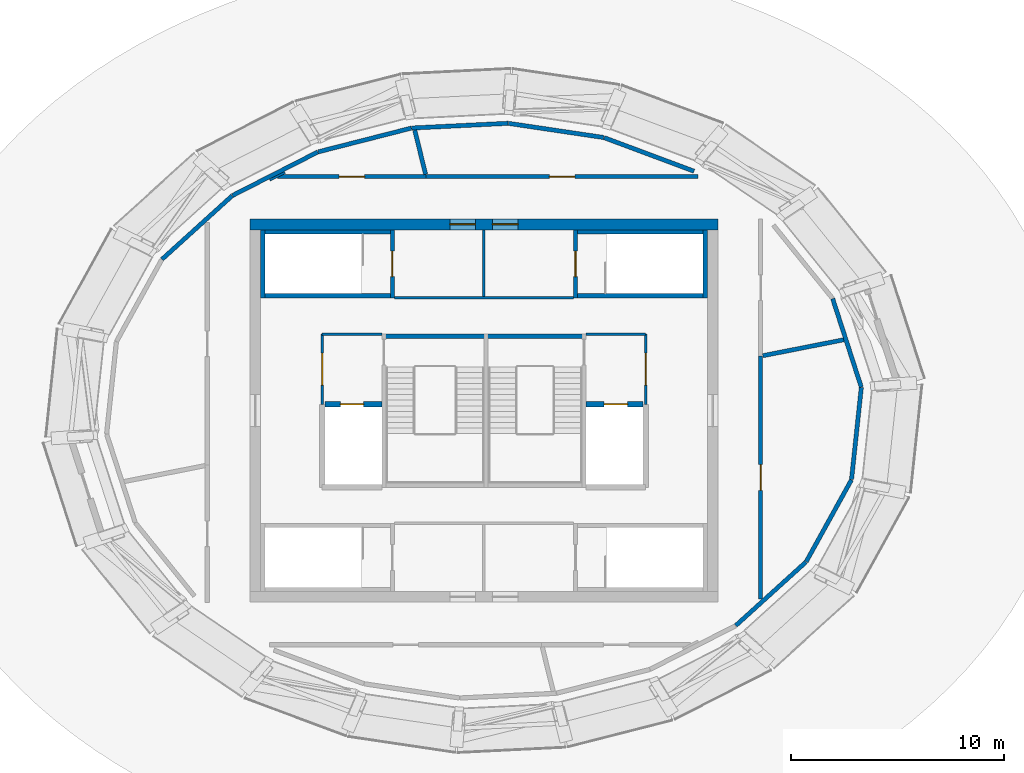
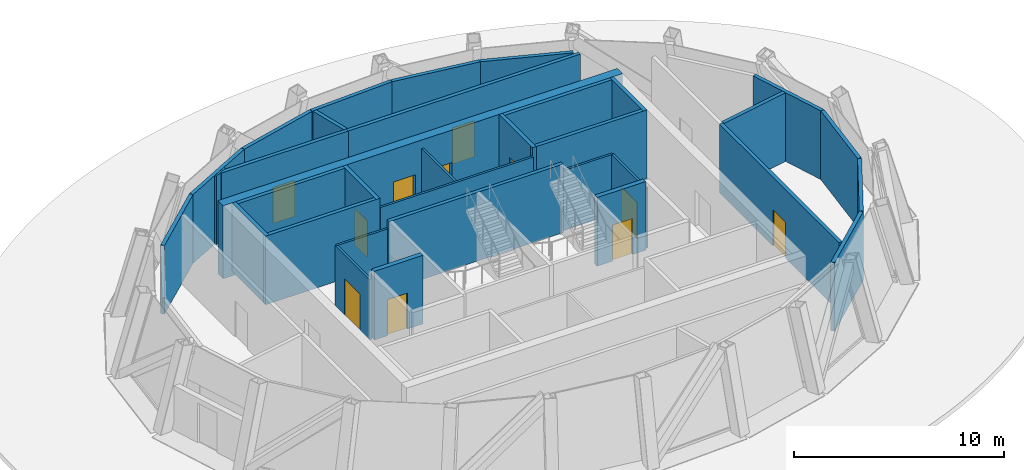
# One storey, part 6 of 9: 34 walls, 11 doors, 11 openings.
"""IFC4 building model written with IfcOpenShell, lengths in metres."""

from ifc_helpers import new_model, si_unit, direction, frame, frame_2d, origin, place, context, subcontext, project, spatial, rectangle, extrude, source, transform, mapped, material, layer, layer_set, type_object, element, fill, save


model = new_model("IFC4")

# Units and contexts
model_context = context("Model", 3, precision=1e-05, world=origin(), true_north=direction((0.0, 1.0)))
body_context = subcontext(model_context, "Body", "Model", "MODEL_VIEW")
ifc_project = project(units=[si_unit("LENGTHUNIT", "METRE"), si_unit("AREAUNIT", "SQUARE_METRE"), si_unit("VOLUMEUNIT", "CUBIC_METRE"), si_unit("PLANEANGLEUNIT", "RADIAN"), si_unit("MASSUNIT", "GRAM", prefix="KILO")], contexts=[model_context])

# Site, building, storey
site_placement = place(None, origin())
site = spatial("IfcSite", under=ifc_project, at=site_placement, CompositionType="ELEMENT")
building_placement = place(site_placement, origin())
building = spatial("IfcBuilding", under=site, at=building_placement, Name="Embergate Tower", CompositionType="ELEMENT")
storey_placement = place(building_placement, frame((0.0, 0.0, 352.0)))
storey = spatial("IfcBuildingStorey", under=building, at=storey_placement, Name="L80", CompositionType="ELEMENT", Elevation=352.0)

# Wall, openings, doors
ifc_material_1 = material(Name="Concrete C50", Category="concrete")
ifc_layer_1 = layer(ifc_material_1, 0.5)
ifc_layer_set_1 = layer_set([ifc_layer_1], Name="Concrete C50")
wall_type_1 = type_object("IfcWallType", Name="Core outer wall C50 500", PredefinedType="SHEAR", material=ifc_layer_set_1)
shared_shape_1 = source(origin(), body_context, "Body", "SweptSolid", [
    extrude(rectangle(XDim=22.0, YDim=0.5, at=frame_2d((11.0, 0.0))), origin(), (0.0, 0.0, 1.0), 4.25),
])
wall_1_placement = place(storey_placement, frame((-11.0, 8.75, -0.25), z_axis=(0.0, 0.0, 1.0), x_axis=(1.0, 0.0, 0.0)))
wall_1 = element("IfcWall", 1, at=wall_1_placement, inside=storey, type_object=wall_type_1, Name="CW-L80-N", PredefinedType="SHEAR", context=body_context, shape_type="MappedRepresentation", body=[
    mapped(shared_shape_1, transform((0.0, 0.0, 0.0))),
])
shared_shape_2 = source(origin(), body_context, "Body", "SweptSolid", [
    extrude(rectangle(XDim=1.199951171875, YDim=2.10009765625, at=frame_2d((0.60009765625, 1.050048828125))), frame((0.0, 0.260009765625, 0.0), z_axis=(0.0, -1.0, 0.0), x_axis=(1.0, 0.0, 0.0)), (0.0, 0.0, 1.0), 0.52001953125),
])
opening_1_placement = place(wall_1_placement, frame((9.39990234375, 0.0, 0.25)))
opening_1 = element("IfcOpeningElement", 2, at=opening_1_placement, cuts=wall_1, Name="Opening IF-1", PredefinedType="OPENING", context=body_context, shape_type="MappedRepresentation", body=[
    mapped(shared_shape_2, transform((0.0, 0.0, 0.0))),
])
opening_2_placement = place(wall_1_placement, frame((11.39990234375, 0.0, 0.25)))
opening_2 = element("IfcOpeningElement", 3, at=opening_2_placement, cuts=wall_1, Name="Opening IF-1", PredefinedType="OPENING", context=body_context, shape_type="MappedRepresentation", body=[
    mapped(shared_shape_2, transform((0.0, 0.0, 0.0))),
])
ifc_material_2 = material(Name="Escape fire door 1200")
door_type_1 = type_object("IfcDoorType", Name="Escape fire door 1200", OperationType="SINGLE_SWING_LEFT", PredefinedType="DOOR", material=ifc_material_2)
shared_shape_3 = source(origin(), body_context, "Body", "SweptSolid", [
    extrude(rectangle(XDim=1.199951171875, YDim=2.10009765625, at=frame_2d((0.60009765625, 1.050048828125))), frame((0.0, 0.02490234375, 0.0), z_axis=(0.0, -1.0, 0.0), x_axis=(1.0, 0.0, 0.0)), (0.0, 0.0, 1.0), 0.050048828125),
])
door_1_placement = place(opening_1_placement, origin())
door_1 = element("IfcDoor", 4, at=door_1_placement, inside=storey, type_object=door_type_1, Name="IF-1 door", OperationType="SINGLE_SWING_LEFT", OverallHeight=2.10009765625, OverallWidth=1.199951171875, PredefinedType="DOOR", context=body_context, shape_type="MappedRepresentation", body=[
    mapped(shared_shape_3, transform((0.0, 0.0, 0.0))),
])
fill(opening_1, door_1)
door_2_placement = place(opening_2_placement, origin())
door_2 = element("IfcDoor", 5, at=door_2_placement, inside=storey, type_object=door_type_1, Name="IF-1 door", OperationType="SINGLE_SWING_RIGHT", OverallHeight=2.10009765625, OverallWidth=1.199951171875, PredefinedType="DOOR", context=body_context, shape_type="MappedRepresentation", body=[
    mapped(shared_shape_3, transform((0.0, 0.0, 0.0))),
])
fill(opening_2, door_2)

# Walls
ifc_material_3 = material(Name="Terracotta louvre cladding on insulated backing", Category="masonry")
ifc_layer_2 = layer(ifc_material_3, 0.199951171875)
ifc_layer_set_2 = layer_set([ifc_layer_2], Name="Terracotta louvre cladding on insulated backing")
wall_type_2 = type_object("IfcWallType", Name="Terracotta louvre wall", PredefinedType="SOLIDWALL", material=ifc_layer_set_2)
shared_shape_4 = source(origin(), body_context, "Body", "SweptSolid", [
    extrude(rectangle(XDim=4.509765625, YDim=0.199951171875, at=frame_2d((2.2548828125, 0.0))), origin(), (0.0, 0.0, 1.0), 4.0),
])
wall_2_placement = place(storey_placement, frame((5.64599609375, 12.829833984375, 0.0), z_axis=(0.0, 0.0, 1.0), x_axis=(0.936857596237, -0.349711087004, 0.0)))
element("IfcWall", 6, at=wall_2_placement, inside=storey, type_object=wall_type_2, Name="Crown louvre wall 3", PredefinedType="SOLIDWALL", context=body_context, shape_type="MappedRepresentation", body=[
    mapped(shared_shape_4, transform((0.0, 0.0, 0.0))),
])
shared_shape_5 = source(origin(), body_context, "Body", "SweptSolid", [
    extrude(rectangle(XDim=4.526611328125, YDim=0.199951171875, at=frame_2d((2.26318359375, 0.0))), origin(), (0.0, 0.0, 1.0), 4.0),
])
wall_3_placement = place(storey_placement, frame((1.1494140625, 13.501953125, 0.0), z_axis=(0.0, 0.0, 1.0), x_axis=(0.98908499412, -0.147346104146, 0.0)))
element("IfcWall", 7, at=wall_3_placement, inside=storey, type_object=wall_type_2, Name="Crown louvre wall 4", PredefinedType="SOLIDWALL", context=body_context, shape_type="MappedRepresentation", body=[
    mapped(shared_shape_5, transform((0.0, 0.0, 0.0))),
])
shared_shape_6 = source(origin(), body_context, "Body", "SweptSolid", [
    extrude(rectangle(XDim=4.5302734375, YDim=0.199951171875, at=frame_2d((2.26513671875, 0.0))), origin(), (0.0, 0.0, 1.0), 4.0),
])
wall_4_placement = place(storey_placement, frame((-3.3955078125, 13.280517578125, 0.0), z_axis=(0.0, 0.0, 1.0), x_axis=(0.998794180323, 0.049093638625, 0.0)))
element("IfcWall", 8, at=wall_4_placement, inside=storey, type_object=wall_type_2, Name="Crown louvre wall 5", PredefinedType="SOLIDWALL", context=body_context, shape_type="MappedRepresentation", body=[
    mapped(shared_shape_6, transform((0.0, 0.0, 0.0))),
])
shared_shape_7 = source(origin(), body_context, "Body", "SweptSolid", [
    extrude(rectangle(XDim=4.520263671875, YDim=0.199951171875, at=frame_2d((2.26025390625, 0.0))), origin(), (0.0, 0.0, 1.0), 4.0),
])
wall_5_placement = place(storey_placement, frame((-7.794921875, 12.16015625, 0.0), z_axis=(0.0, 0.0, 1.0), x_axis=(0.968962042594, 0.247209546764, 0.0)))
element("IfcWall", 9, at=wall_5_placement, inside=storey, type_object=wall_type_2, Name="Crown louvre wall 6", PredefinedType="SOLIDWALL", context=body_context, shape_type="MappedRepresentation", body=[
    mapped(shared_shape_7, transform((0.0, 0.0, 0.0))),
])
shared_shape_8 = source(origin(), body_context, "Body", "SweptSolid", [
    extrude(rectangle(XDim=4.49365234375, YDim=0.199951171875, at=frame_2d((2.246826171875, 0.0))), origin(), (0.0, 0.0, 1.0), 4.0),
])
wall_6_placement = place(storey_placement, frame((-11.816162109375, 10.110107421875, 0.0), z_axis=(0.0, 0.0, 1.0), x_axis=(0.890680163356, 0.45463045059, 0.0)))
element("IfcWall", 10, at=wall_6_placement, inside=storey, type_object=wall_type_2, Name="Crown louvre wall 7", PredefinedType="SOLIDWALL", context=body_context, shape_type="MappedRepresentation", body=[
    mapped(shared_shape_8, transform((0.0, 0.0, 0.0))),
])
shared_shape_9 = source(origin(), body_context, "Body", "SweptSolid", [
    extrude(rectangle(XDim=4.448974609375, YDim=0.199951171875, at=frame_2d((2.224609375, 0.0))), origin(), (0.0, 0.0, 1.0), 4.0),
])
for number, where, z_axis, x_axis, name in (
    (11, (-15.1298828125, 7.1123046875, 0.0), (0.0, 0.0, 1.0), (0.741145642432, 0.671344275841, 0.0), "Crown louvre wall 8"),
    (12, (15.1298828125, -7.1123046875, 0.0), (0.0, 0.0, 1.0), (-0.741145642432, -0.671344275841, 0.0), "Crown louvre wall 19"),
):
    element("IfcWall", number, at=place(storey_placement, frame(where, z_axis=z_axis, x_axis=x_axis)), inside=storey, type_object=wall_type_2, Name=name, PredefinedType="SOLIDWALL", context=body_context, shape_type="MappedRepresentation", body=[
        mapped(shared_shape_9, transform((0.0, 0.0, 0.0))),
    ])
shared_shape_10 = source(origin(), body_context, "Body", "SweptSolid", [
    extrude(rectangle(XDim=4.388916015625, YDim=0.199951171875, at=frame_2d((2.1943359375, 0.0))), origin(), (0.0, 0.0, 1.0), 4.0),
])
wall_7_placement = place(storey_placement, frame((17.26611328125, -3.255859375, 0.0), z_axis=(0.0, 0.0, 1.0), x_axis=(-0.48394176174, -0.875100206402, 0.0)))
element("IfcWall", 13, at=wall_7_placement, inside=storey, type_object=wall_type_2, Name="Crown louvre wall 20", PredefinedType="SOLIDWALL", context=body_context, shape_type="MappedRepresentation", body=[
    mapped(shared_shape_10, transform((0.0, 0.0, 0.0))),
])
shared_shape_11 = source(origin(), body_context, "Body", "SweptSolid", [
    extrude(rectangle(XDim=4.34912109375, YDim=0.199951171875, at=frame_2d((2.174560546875, 0.0))), origin(), (0.0, 0.0, 1.0), 4.0),
])
wall_8_placement = place(storey_placement, frame((17.732177734375, 1.087646484375, 0.0), z_axis=(0.0, 0.0, 1.0), x_axis=(-0.10576007222, -0.994391676918, 0.0)))
element("IfcWall", 14, at=wall_8_placement, inside=storey, type_object=wall_type_2, Name="Crown louvre wall 21", PredefinedType="SOLIDWALL", context=body_context, shape_type="MappedRepresentation", body=[
    mapped(shared_shape_11, transform((0.0, 0.0, 0.0))),
])
shared_shape_12 = source(origin(), body_context, "Body", "SweptSolid", [
    extrude(rectangle(XDim=4.3642578125, YDim=0.199951171875, at=frame_2d((2.18212890625, 0.0))), origin(), (0.0, 0.0, 1.0), 4.0),
])
wall_9_placement = place(storey_placement, frame((16.3876953125, 5.259521484375, 0.0), z_axis=(0.0, 0.0, 1.0), x_axis=(0.307571534743, -0.951524960795, 0.0)))
element("IfcWall", 15, at=wall_9_placement, inside=storey, type_object=wall_type_2, Name="Crown louvre wall 22", PredefinedType="SOLIDWALL", context=body_context, shape_type="MappedRepresentation", body=[
    mapped(shared_shape_12, transform((0.0, 0.0, 0.0))),
])
ifc_material_4 = material(Name="Core partition blockwork 120")
ifc_layer_3 = layer(ifc_material_4, 0.1201171875)
ifc_layer_set_3 = layer_set([ifc_layer_3], Name="Core partition blockwork 120")
wall_type_3 = type_object("IfcWallType", Name="Core partition blockwork 120", PredefinedType="PARTITIONING", material=ifc_layer_set_3)
shared_shape_13 = source(origin(), body_context, "Body", "SweptSolid", [
    extrude(rectangle(XDim=8.39990234375, YDim=0.1201171875, at=frame_2d((4.199951171875, 0.0))), origin(), (0.0, 0.0, 1.0), 3.5),
])
wall_10_placement = place(storey_placement, frame((-4.199951171875, 5.300048828125, 0.0), z_axis=(0.0, 0.0, 1.0), x_axis=(1.0, 0.0, 0.0)))
element("IfcWall", 16, at=wall_10_placement, inside=storey, type_object=wall_type_3, Name="IP-3 wall", PredefinedType="PARTITIONING", context=body_context, shape_type="MappedRepresentation", body=[
    mapped(shared_shape_13, transform((0.0, 0.0, 0.0))),
])
ifc_layer_4 = layer(ifc_material_1, 0.199951171875)
ifc_layer_set_4 = layer_set([ifc_layer_4], Name="Concrete C50")
wall_type_4 = type_object("IfcWallType", Name="Stair enclosure wall reinforced concrete 250", PredefinedType="SHEAR", material=ifc_layer_set_4)
shared_shape_14 = source(origin(), body_context, "Body", "SweptSolid", [
    extrude(rectangle(XDim=9.60009765625, YDim=0.199951171875, at=frame_2d((4.800048828125, 0.0))), origin(), (0.0, 0.0, 1.0), 4.0),
])
wall_11_placement = place(storey_placement, frame((4.800048828125, 3.5, 0.0), z_axis=(0.0, 0.0, 1.0), x_axis=(-1.0, 0.0, 0.0)))
element("IfcWall", 17, at=wall_11_placement, inside=storey, type_object=wall_type_4, Name="SE-1 wall", PredefinedType="SHEAR", context=body_context, shape_type="MappedRepresentation", body=[
    mapped(shared_shape_14, transform((0.0, 0.0, 0.0))),
])

# Wall, opening, door
ifc_layer_5 = layer(ifc_material_1, 0.25)
ifc_layer_set_5 = layer_set([ifc_layer_5], Name="Concrete C50")
wall_type_5 = type_object("IfcWallType", Name="Hoistway wall reinforced concrete 250", PredefinedType="SHEAR", material=ifc_layer_set_5)
shared_shape_15 = source(origin(), body_context, "Body", "SweptSolid", [
    extrude(rectangle(XDim=2.675048828125, YDim=0.25, at=frame_2d((1.33740234375, 0.0))), origin(), (0.0, 0.0, 1.0), 4.0),
])
wall_12_placement = place(storey_placement, frame((7.47509765625, 0.300048828125, 0.0), z_axis=(0.0, 0.0, 1.0), x_axis=(-1.0, 0.0, 0.0)))
wall_12 = element("IfcWall", 18, at=wall_12_placement, inside=storey, type_object=wall_type_5, Name="HW-1 wall", PredefinedType="SHEAR", context=body_context, shape_type="MappedRepresentation", body=[
    mapped(shared_shape_15, transform((0.0, 0.0, 0.0))),
])
shared_shape_16 = source(origin(), body_context, "Body", "SweptSolid", [
    extrude(rectangle(XDim=1.10009765625, YDim=2.10009765625, at=frame_2d((0.550048828125, 1.050048828125))), frame((0.0, 0.135009765625, 0.0), z_axis=(0.0, -1.0, 0.0), x_axis=(1.0, 0.0, 0.0)), (0.0, 0.0, 1.0), 0.27001953125),
])
opening_3_placement = place(wall_12_placement, frame((0.72509765625, 0.0, 0.0)))
opening_3 = element("IfcOpeningElement", 19, at=opening_3_placement, cuts=wall_12, Name="Opening LD", PredefinedType="OPENING", context=body_context, shape_type="MappedRepresentation", body=[
    mapped(shared_shape_16, transform((0.0, 0.0, 0.0))),
])
ifc_material_5 = material(Name="Landing door sliding 1100")
door_type_2 = type_object("IfcDoorType", Name="Landing door sliding 1100", OperationType="SLIDING_TO_LEFT", PredefinedType="DOOR", material=ifc_material_5)
shared_shape_17 = source(origin(), body_context, "Body", "SweptSolid", [
    extrude(rectangle(XDim=1.10009765625, YDim=2.10009765625, at=frame_2d((0.550048828125, 1.050048828125))), frame((0.0, 0.02490234375, 0.0), z_axis=(0.0, -1.0, 0.0), x_axis=(1.0, 0.0, 0.0)), (0.0, 0.0, 1.0), 0.050048828125),
])
door_3_placement = place(opening_3_placement, origin())
door_3 = element("IfcDoor", 20, at=door_3_placement, inside=storey, type_object=door_type_2, Name="LD door", OperationType="SLIDING_TO_LEFT", OverallHeight=2.10009765625, OverallWidth=1.10009765625, PredefinedType="DOOR", context=body_context, shape_type="MappedRepresentation", body=[
    mapped(shared_shape_17, transform((0.0, 0.0, 0.0))),
])
fill(opening_3, door_3)

wall_13_placement = place(storey_placement, frame((-4.800048828125, 0.300048828125, 0.0), z_axis=(0.0, 0.0, 1.0), x_axis=(-1.0, 0.0, 0.0)))
wall_13 = element("IfcWall", 21, at=wall_13_placement, inside=storey, type_object=wall_type_5, Name="HW-1 wall", PredefinedType="SHEAR", context=body_context, shape_type="MappedRepresentation", body=[
    mapped(shared_shape_15, transform((0.0, 0.0, 0.0))),
])
opening_4_placement = place(wall_13_placement, frame((0.85009765625, 0.0, 0.0)))
opening_4 = element("IfcOpeningElement", 22, at=opening_4_placement, cuts=wall_13, Name="Opening LD", PredefinedType="OPENING", context=body_context, shape_type="MappedRepresentation", body=[
    mapped(shared_shape_16, transform((0.0, 0.0, 0.0))),
])
door_4_placement = place(opening_4_placement, origin())
door_4 = element("IfcDoor", 23, at=door_4_placement, inside=storey, type_object=door_type_2, Name="LD door", OperationType="SLIDING_TO_RIGHT", OverallHeight=2.10009765625, OverallWidth=1.10009765625, PredefinedType="DOOR", context=body_context, shape_type="MappedRepresentation", body=[
    mapped(shared_shape_17, transform((0.0, 0.0, 0.0))),
])
fill(opening_4, door_4)

shared_shape_18 = source(origin(), body_context, "Body", "SweptSolid", [
    extrude(rectangle(XDim=3.300048828125, YDim=0.1201171875, at=frame_2d((1.64990234375, 0.0))), origin(), (0.0, 0.0, 1.0), 3.5),
])
wall_14_placement = place(storey_placement, frame((7.60009765625, 0.300048828125, 0.0), z_axis=(0.0, 0.0, 1.0), x_axis=(0.0, 1.0, 0.0)))
wall_14 = element("IfcWall", 24, at=wall_14_placement, inside=storey, type_object=wall_type_3, Name="IP-3 wall", PredefinedType="PARTITIONING", context=body_context, shape_type="MappedRepresentation", body=[
    mapped(shared_shape_18, transform((0.0, 0.0, 0.0))),
])
shared_shape_19 = source(origin(), body_context, "Body", "SweptSolid", [
    extrude(rectangle(XDim=1.5, YDim=2.10009765625, at=frame_2d((0.75, 1.050048828125))), frame((0.0, 0.070068359375, 0.0), z_axis=(0.0, -1.0, 0.0), x_axis=(1.0, 0.0, 0.0)), (0.0, 0.0, 1.0), 0.14013671875),
])
opening_5_placement = place(wall_14_placement, frame((0.89990234375, 0.0, 0.0)))
opening_5 = element("IfcOpeningElement", 25, at=opening_5_placement, cuts=wall_14, Name="Opening IF-3", PredefinedType="OPENING", context=body_context, shape_type="MappedRepresentation", body=[
    mapped(shared_shape_19, transform((0.0, 0.0, 0.0))),
])
ifc_material_6 = material(Name="Lobby fire door pair 1500")
door_type_3 = type_object("IfcDoorType", Name="Lobby fire door pair 1500", OperationType="DOUBLE_DOOR_SINGLE_SWING", PredefinedType="DOOR", material=ifc_material_6)
shared_shape_20 = source(origin(), body_context, "Body", "SweptSolid", [
    extrude(rectangle(XDim=1.5, YDim=2.10009765625, at=frame_2d((0.75, 1.050048828125))), frame((0.0, 0.02490234375, 0.0), z_axis=(0.0, -1.0, 0.0), x_axis=(1.0, 0.0, 0.0)), (0.0, 0.0, 1.0), 0.050048828125),
])
door_5_placement = place(opening_5_placement, origin())
door_5 = element("IfcDoor", 26, at=door_5_placement, inside=storey, type_object=door_type_3, Name="IF-3 door", OperationType="DOUBLE_DOOR_SINGLE_SWING", OverallHeight=2.10009765625, OverallWidth=1.5, PredefinedType="DOOR", context=body_context, shape_type="MappedRepresentation", body=[
    mapped(shared_shape_20, transform((0.0, 0.0, 0.0))),
])
fill(opening_5, door_5)

wall_15_placement = place(storey_placement, frame((-7.60009765625, 3.60009765625, 0.0), z_axis=(0.0, 0.0, 1.0), x_axis=(0.0, -1.0, 0.0)))
wall_15 = element("IfcWall", 27, at=wall_15_placement, inside=storey, type_object=wall_type_3, Name="IP-3 wall", PredefinedType="PARTITIONING", context=body_context, shape_type="MappedRepresentation", body=[
    mapped(shared_shape_18, transform((0.0, 0.0, 0.0))),
])
opening_6_placement = place(wall_15_placement, frame((0.89990234375, 0.0, 0.0)))
opening_6 = element("IfcOpeningElement", 28, at=opening_6_placement, cuts=wall_15, Name="Opening IF-3", PredefinedType="OPENING", context=body_context, shape_type="MappedRepresentation", body=[
    mapped(shared_shape_19, transform((0.0, 0.0, 0.0))),
])
door_6_placement = place(opening_6_placement, origin())
door_6 = element("IfcDoor", 29, at=door_6_placement, inside=storey, type_object=door_type_3, Name="IF-3 door", OperationType="DOUBLE_DOOR_SINGLE_SWING", OverallHeight=2.10009765625, OverallWidth=1.5, PredefinedType="DOOR", context=body_context, shape_type="MappedRepresentation", body=[
    mapped(shared_shape_20, transform((0.0, 0.0, 0.0))),
])
fill(opening_6, door_6)

# Walls
shared_shape_21 = source(origin(), body_context, "Body", "SweptSolid", [
    extrude(rectangle(XDim=2.800048828125, YDim=0.1201171875, at=frame_2d((1.39990234375, 0.0))), origin(), (0.0, 0.0, 1.0), 3.5),
])
for number, where, z_axis, x_axis, name in (
    (30, (7.60009765625, 3.60009765625, 0.0), (0.0, 0.0, 1.0), (-1.0, 0.0, 0.0), "IP-3 wall"),
    (31, (-4.800048828125, 3.60009765625, 0.0), (0.0, 0.0, 1.0), (-1.0, 0.0, 0.0), "IP-3 wall"),
):
    element("IfcWall", number, at=place(storey_placement, frame(where, z_axis=z_axis, x_axis=x_axis)), inside=storey, type_object=wall_type_3, Name=name, PredefinedType="PARTITIONING", context=body_context, shape_type="MappedRepresentation", body=[
        mapped(shared_shape_21, transform((0.0, 0.0, 0.0))),
    ])

# Wall, opening, door
shared_shape_22 = source(origin(), body_context, "Body", "SweptSolid", [
    extrude(rectangle(XDim=3.199951171875, YDim=0.199951171875, at=frame_2d((1.60009765625, 0.0))), origin(), (0.0, 0.0, 1.0), 4.0),
])
wall_16_placement = place(storey_placement, frame((-4.300048828125, 5.300048828125, 0.0), z_axis=(0.0, 0.0, 1.0), x_axis=(0.0, 1.0, 0.0)))
wall_16 = element("IfcWall", 32, at=wall_16_placement, inside=storey, type_object=wall_type_4, Name="SE-1 wall", PredefinedType="SHEAR", context=body_context, shape_type="MappedRepresentation", body=[
    mapped(shared_shape_22, transform((0.0, 0.0, 0.0))),
])
shared_shape_23 = source(origin(), body_context, "Body", "SweptSolid", [
    extrude(rectangle(XDim=1.199951171875, YDim=2.10009765625, at=frame_2d((0.60009765625, 1.050048828125))), frame((0.0, 0.10986328125, 0.0), z_axis=(0.0, -1.0, 0.0), x_axis=(1.0, 0.0, 0.0)), (0.0, 0.0, 1.0), 0.219970703125),
])
opening_7_placement = place(wall_16_placement, frame((1.0, 0.0, 0.0)))
opening_7 = element("IfcOpeningElement", 33, at=opening_7_placement, cuts=wall_16, Name="Opening IF-2", PredefinedType="OPENING", context=body_context, shape_type="MappedRepresentation", body=[
    mapped(shared_shape_23, transform((0.0, 0.0, 0.0))),
])
ifc_material_7 = material(Name="Stair enclosure door 1200")
door_type_4 = type_object("IfcDoorType", Name="Stair enclosure door 1200", OperationType="SINGLE_SWING_LEFT", PredefinedType="DOOR", material=ifc_material_7)
door_7_placement = place(opening_7_placement, origin())
door_7 = element("IfcDoor", 34, at=door_7_placement, inside=storey, type_object=door_type_4, Name="IF-2 door", OperationType="SINGLE_SWING_RIGHT", OverallHeight=2.10009765625, OverallWidth=1.199951171875, PredefinedType="DOOR", context=body_context, shape_type="MappedRepresentation", body=[
    mapped(shared_shape_3, transform((0.0, 0.0, 0.0))),
])
fill(opening_7, door_7)

wall_17_placement = place(storey_placement, frame((4.300048828125, 8.5, 0.0), z_axis=(0.0, 0.0, 1.0), x_axis=(0.0, -1.0, 0.0)))
wall_17 = element("IfcWall", 35, at=wall_17_placement, inside=storey, type_object=wall_type_4, Name="SE-1 wall", PredefinedType="SHEAR", context=body_context, shape_type="MappedRepresentation", body=[
    mapped(shared_shape_22, transform((0.0, 0.0, 0.0))),
])
opening_8_placement = place(wall_17_placement, frame((1.0, 0.0, 0.0)))
opening_8 = element("IfcOpeningElement", 36, at=opening_8_placement, cuts=wall_17, Name="Opening IF-2", PredefinedType="OPENING", context=body_context, shape_type="MappedRepresentation", body=[
    mapped(shared_shape_23, transform((0.0, 0.0, 0.0))),
])
door_8_placement = place(opening_8_placement, origin())
door_8 = element("IfcDoor", 37, at=door_8_placement, inside=storey, type_object=door_type_4, Name="IF-2 door", OperationType="SINGLE_SWING_LEFT", OverallHeight=2.10009765625, OverallWidth=1.199951171875, PredefinedType="DOOR", context=body_context, shape_type="MappedRepresentation", body=[
    mapped(shared_shape_3, transform((0.0, 0.0, 0.0))),
])
fill(opening_8, door_8)

# Walls
shared_shape_24 = source(origin(), body_context, "Body", "SweptSolid", [
    extrude(rectangle(XDim=6.300048828125, YDim=0.199951171875, at=frame_2d((3.14990234375, 0.0))), origin(), (0.0, 0.0, 1.0), 4.0),
])
for number, where, z_axis, x_axis, name in (
    (38, (-10.5, 5.39990234375, 0.0), (0.0, 0.0, 1.0), (1.0, 0.0, 0.0), "SE-1 wall"),
    (39, (4.199951171875, 5.39990234375, 0.0), (0.0, 0.0, 1.0), (1.0, 0.0, 0.0), "SE-1 wall"),
):
    element("IfcWall", number, at=place(storey_placement, frame(where, z_axis=z_axis, x_axis=x_axis)), inside=storey, type_object=wall_type_4, Name=name, PredefinedType="SHEAR", context=body_context, shape_type="MappedRepresentation", body=[
        mapped(shared_shape_24, transform((0.0, 0.0, 0.0))),
    ])
shared_shape_25 = source(origin(), body_context, "Body", "SweptSolid", [
    extrude(rectangle(XDim=3.139892578125, YDim=0.1201171875, at=frame_2d((1.56982421875, 0.0))), origin(), (0.0, 0.0, 1.0), 3.5),
])
wall_18_placement = place(storey_placement, frame((0.0, 5.360107421875, 0.0), z_axis=(0.0, 0.0, 1.0), x_axis=(0.0, 1.0, 0.0)))
element("IfcWall", 40, at=wall_18_placement, inside=storey, type_object=wall_type_3, Name="IP-3 wall", PredefinedType="PARTITIONING", context=body_context, shape_type="MappedRepresentation", body=[
    mapped(shared_shape_25, transform((0.0, 0.0, 0.0))),
])
shared_shape_26 = source(origin(), body_context, "Body", "SweptSolid", [
    extrude(rectangle(XDim=6.298095703125, YDim=0.199951171875, at=frame_2d((3.14892578125, 0.0))), origin(), (0.0, 0.0, 1.0), 4.0),
])
for number, where, z_axis, x_axis, name in (
    (41, (-4.201904296875, 8.39990234375, 0.0), (0.0, 0.0, 1.0), (-1.0, 0.0, 0.0), "SE-1 wall"),
    (42, (10.5, 8.39990234375, 0.0), (0.0, 0.0, 1.0), (-1.0, 0.0, 0.0), "SE-1 wall"),
):
    element("IfcWall", number, at=place(storey_placement, frame(where, z_axis=z_axis, x_axis=x_axis)), inside=storey, type_object=wall_type_4, Name=name, PredefinedType="SHEAR", context=body_context, shape_type="MappedRepresentation", body=[
        mapped(shared_shape_26, transform((0.0, 0.0, 0.0))),
    ])
shared_shape_27 = source(origin(), body_context, "Body", "SweptSolid", [
    extrude(rectangle(XDim=3.197998046875, YDim=0.199951171875, at=frame_2d((1.59912109375, 0.0))), origin(), (0.0, 0.0, 1.0), 4.0),
])
for number, where, z_axis, x_axis, name in (
    (43, (-10.39990234375, 8.5, 0.0), (0.0, 0.0, 1.0), (0.0, -1.0, 0.0), "SE-1 wall"),
    (44, (10.39990234375, 5.302001953125, 0.0), (0.0, 0.0, 1.0), (0.0, 1.0, 0.0), "SE-1 wall"),
):
    element("IfcWall", number, at=place(storey_placement, frame(where, z_axis=z_axis, x_axis=x_axis)), inside=storey, type_object=wall_type_4, Name=name, PredefinedType="SHEAR", context=body_context, shape_type="MappedRepresentation", body=[
        mapped(shared_shape_27, transform((0.0, 0.0, 0.0))),
    ])
ifc_material_8 = material(Name="Blockwork, plastered", Category="masonry")
ifc_layer_6 = layer(ifc_material_8, 0.199951171875)
ifc_layer_set_6 = layer_set([ifc_layer_6], Name="Blockwork, plastered")
wall_type_6 = type_object("IfcWallType", Name="Fire partition wall 200 block", PredefinedType="PARTITIONING", material=ifc_layer_set_6)
shared_shape_28 = source(origin(), body_context, "Body", "SweptSolid", [
    extrude(rectangle(XDim=3.87109375, YDim=0.199951171875, at=frame_2d((1.935546875, 0.0))), origin(), (0.0, 0.0, 1.0), 4.0),
])
wall_19_placement = place(storey_placement, frame((16.906005859375, 3.3310546875, 0.0), z_axis=(0.0, 0.0, 1.0), x_axis=(-0.981151353157, -0.193240839884, 0.0)))
element("IfcWall", 45, at=wall_19_placement, inside=storey, type_object=wall_type_6, Name="Partition 012", PredefinedType="PARTITIONING", context=body_context, shape_type="MappedRepresentation", body=[
    mapped(shared_shape_28, transform((0.0, 0.0, 0.0))),
])

# Wall, opening, door
shared_shape_29 = source(origin(), body_context, "Body", "SweptSolid", [
    extrude(rectangle(XDim=11.404052734375, YDim=0.199951171875, at=frame_2d((5.7021484375, 0.0))), origin(), (0.0, 0.0, 1.0), 4.0),
])
wall_20_placement = place(storey_placement, frame((13.0, 2.56201171875, 0.0), z_axis=(0.0, 0.0, 1.0), x_axis=(0.0, -1.0, 0.0)))
wall_20 = element("IfcWall", 46, at=wall_20_placement, inside=storey, type_object=wall_type_6, Name="Partition 010", PredefinedType="PARTITIONING", context=body_context, shape_type="MappedRepresentation", body=[
    mapped(shared_shape_29, transform((0.0, 0.0, 0.0))),
])
opening_9_placement = place(wall_20_placement, frame((5.10205078125, 0.0, 0.0)))
opening_9 = element("IfcOpeningElement", 47, at=opening_9_placement, cuts=wall_20, Name="Opening DS-280", PredefinedType="OPENING", context=body_context, shape_type="MappedRepresentation", body=[
    mapped(shared_shape_23, transform((0.0, 0.0, 0.0))),
])
ifc_material_9 = material(Name="Timber door leaf, steel frame", Category="steel")
door_type_5 = type_object("IfcDoorType", Name="Plant door 1200x2100", OperationType="SINGLE_SWING_LEFT", PredefinedType="DOOR", material=ifc_material_9)
shared_shape_30 = source(origin(), body_context, "Body", "SweptSolid", [
    extrude(rectangle(XDim=1.199951171875, YDim=2.10009765625, at=frame_2d((0.60009765625, 1.050048828125))), frame((0.0, 0.02490234375, 0.0), z_axis=(0.0, -1.0, 0.0), x_axis=(1.0, 0.0, 0.0)), (0.0, 0.0, 1.0), 0.050048828125),
])
door_9_placement = place(opening_9_placement, origin())
door_9 = element("IfcDoor", 48, at=door_9_placement, inside=storey, type_object=door_type_5, Name="Door to Crown water tank room", OperationType="SINGLE_SWING_LEFT", OverallHeight=2.10009765625, OverallWidth=1.199951171875, PredefinedType="DOOR", context=body_context, shape_type="MappedRepresentation", body=[
    mapped(shared_shape_30, transform((0.0, 0.0, 0.0))),
])
fill(opening_9, door_9)

shared_shape_31 = source(origin(), body_context, "Body", "SweptSolid", [
    extrude(rectangle(XDim=6.98486328125, YDim=0.199951171875, at=frame_2d((3.492431640625, 0.0))), origin(), (0.0, 0.0, 1.0), 4.0),
])
wall_21_placement = place(storey_placement, frame((-9.699951171875, 11.0, 0.0), z_axis=(0.0, 0.0, 1.0), x_axis=(1.0, 0.0, 0.0)))
wall_21 = element("IfcWall", 49, at=wall_21_placement, inside=storey, type_object=wall_type_6, Name="Partition 004", PredefinedType="PARTITIONING", context=body_context, shape_type="MappedRepresentation", body=[
    mapped(shared_shape_31, transform((0.0, 0.0, 0.0))),
])
opening_10_placement = place(wall_21_placement, frame((2.89208984375, 0.0, 0.0)))
opening_10 = element("IfcOpeningElement", 50, at=opening_10_placement, cuts=wall_21, Name="Opening DS-275", PredefinedType="OPENING", context=body_context, shape_type="MappedRepresentation", body=[
    mapped(shared_shape_23, transform((0.0, 0.0, 0.0))),
])
door_10_placement = place(opening_10_placement, origin())
door_10 = element("IfcDoor", 51, at=door_10_placement, inside=storey, type_object=door_type_5, Name="Door to Crown air handling plant room", OperationType="SINGLE_SWING_LEFT", OverallHeight=2.10009765625, OverallWidth=1.199951171875, PredefinedType="DOOR", context=body_context, shape_type="MappedRepresentation", body=[
    mapped(shared_shape_30, transform((0.0, 0.0, 0.0))),
])
fill(opening_10, door_10)

# Wall
shared_shape_32 = source(origin(), body_context, "Body", "SweptSolid", [
    extrude(rectangle(XDim=2.142578125, YDim=0.199951171875, at=frame_2d((1.0712890625, 0.0))), origin(), (0.0, 0.0, 1.0), 4.0),
])
wall_22_placement = place(storey_placement, frame((-2.740966796875, 11.10693359375, 0.0), z_axis=(0.0, 0.0, 1.0), x_axis=(-0.239853646519, 0.970809058596, 0.0)))
element("IfcWall", 52, at=wall_22_placement, inside=storey, type_object=wall_type_6, Name="Partition 005", PredefinedType="PARTITIONING", context=body_context, shape_type="MappedRepresentation", body=[
    mapped(shared_shape_32, transform((0.0, 0.0, 0.0))),
])

# Wall, opening, door
shared_shape_33 = source(origin(), body_context, "Body", "SweptSolid", [
    extrude(rectangle(XDim=12.7841796875, YDim=0.199951171875, at=frame_2d((6.39208984375, 0.0))), origin(), (0.0, 0.0, 1.0), 4.0),
])
wall_23_placement = place(storey_placement, frame((-2.715087890625, 11.0, 0.0), z_axis=(0.0, 0.0, 1.0), x_axis=(1.0, 0.0, 0.0)))
wall_23 = element("IfcWall", 53, at=wall_23_placement, inside=storey, type_object=wall_type_6, Name="Partition 006", PredefinedType="PARTITIONING", context=body_context, shape_type="MappedRepresentation", body=[
    mapped(shared_shape_33, transform((0.0, 0.0, 0.0))),
])
opening_11_placement = place(wall_23_placement, frame((5.7919921875, 0.0, 0.0)))
opening_11 = element("IfcOpeningElement", 54, at=opening_11_placement, cuts=wall_23, Name="Opening DS-274", PredefinedType="OPENING", context=body_context, shape_type="MappedRepresentation", body=[
    mapped(shared_shape_23, transform((0.0, 0.0, 0.0))),
])
door_11_placement = place(opening_11_placement, origin())
door_11 = element("IfcDoor", 55, at=door_11_placement, inside=storey, type_object=door_type_5, Name="Door to Crown mechanical plant room", OperationType="SINGLE_SWING_LEFT", OverallHeight=2.10009765625, OverallWidth=1.199951171875, PredefinedType="DOOR", context=body_context, shape_type="MappedRepresentation", body=[
    mapped(shared_shape_30, transform((0.0, 0.0, 0.0))),
])
fill(opening_11, door_11)

# Wall
ifc_material_10 = material(Name="Plasterboard on steel stud", Category="steel")
ifc_layer_7 = layer(ifc_material_10, 0.14990234375)
ifc_layer_set_7 = layer_set([ifc_layer_7], Name="Plasterboard on steel stud")
wall_type_7 = type_object("IfcWallType", Name="Partition wall 150 board", PredefinedType="PARTITIONING", material=ifc_layer_set_7)
shared_shape_34 = source(origin(), body_context, "Body", "SweptSolid", [
    extrude(rectangle(XDim=0.800537109375, YDim=0.10009765625, at=frame_2d((0.400390625, 0.0))), origin(), (0.0, 0.0, 1.0), 4.0),
])
wall_24_placement = place(storey_placement, frame((-10.06298828125, 10.8310546875, 0.0), z_axis=(0.0, 0.0, 1.0), x_axis=(0.890613149989, 0.454761714601, 0.0)))
element("IfcWall", 56, at=wall_24_placement, inside=storey, type_object=wall_type_7, Name="Partition 013", PredefinedType="PARTITIONING", context=body_context, shape_type="MappedRepresentation", body=[
    mapped(shared_shape_34, transform((0.0, 0.0, 0.0))),
])

save(model, "model.ifc")
